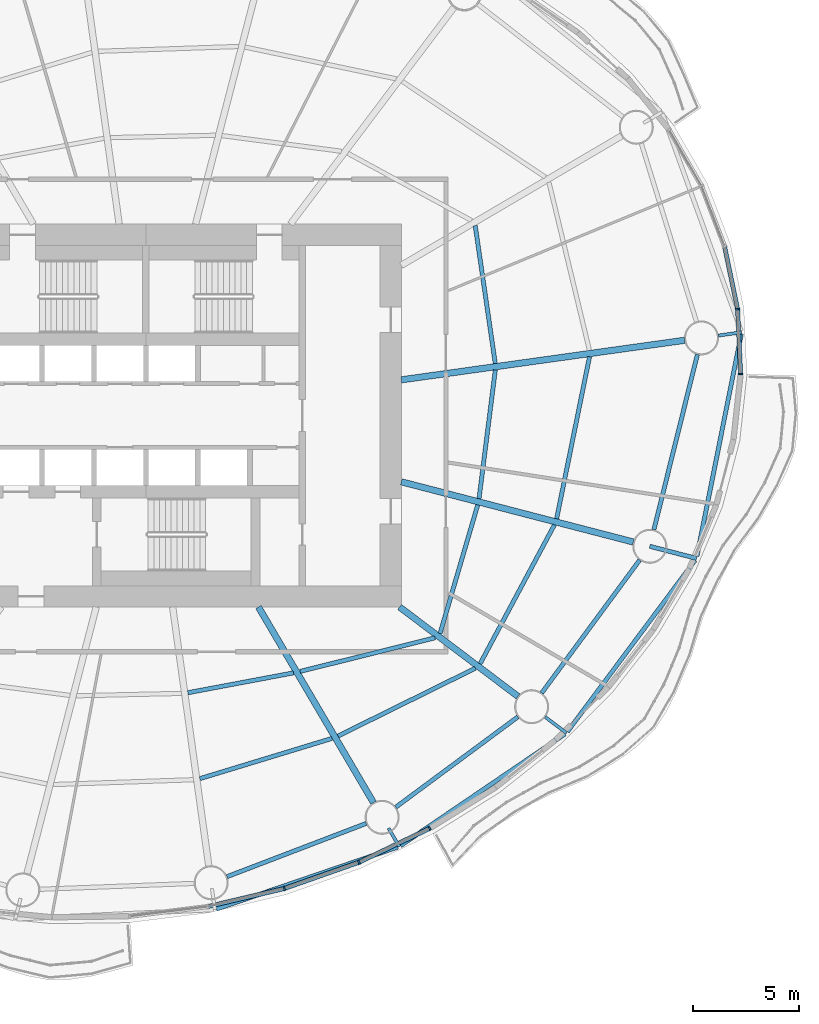
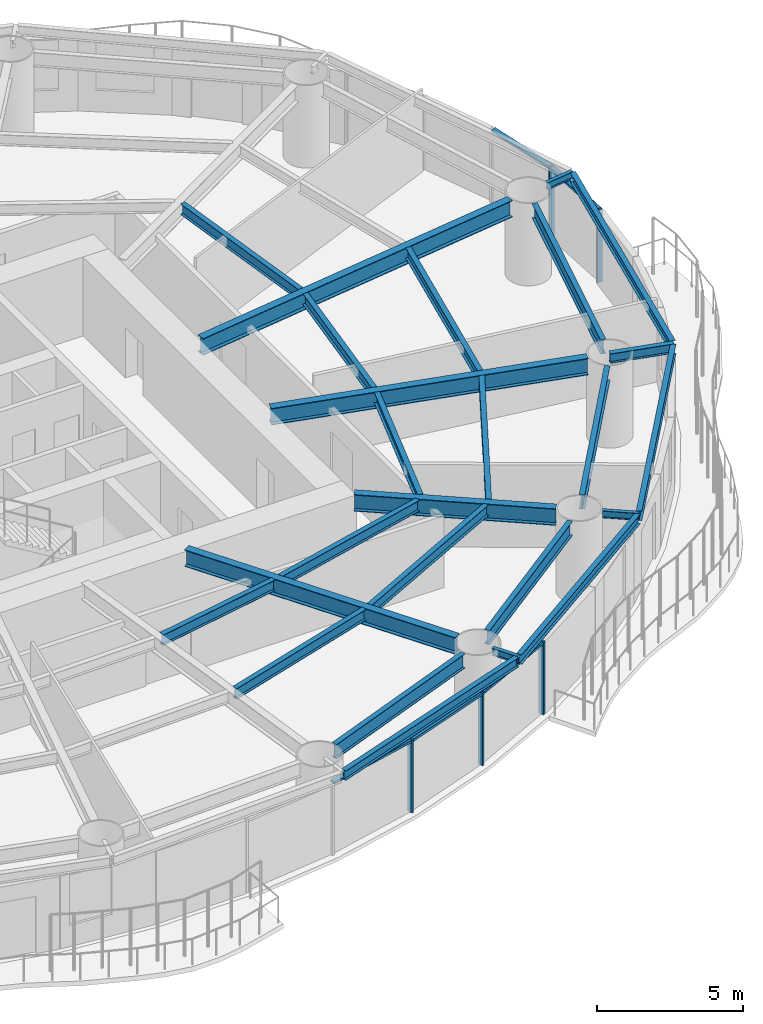
# One storey, part 3 of 16: 25 beams, 10 members, 5 elements without a shape of their own.
"""IFC4 building model written with IfcOpenShell, lengths in metres."""

from ifc_helpers import new_model, si_unit, direction, frame, origin, origin_2d, place, context, subcontext, project, spatial, rectangle, i_section, extrude, material, material_profile, profile_set, type_object, element, aggregate, save


model = new_model("IFC4")

# Units and contexts
model_context = context("Model", 3, precision=1e-05, world=origin(), true_north=direction((0.0, 1.0)))
body_context = subcontext(model_context, "Body", "Model", "MODEL_VIEW")
ifc_project = project(units=[si_unit("LENGTHUNIT", "METRE"), si_unit("AREAUNIT", "SQUARE_METRE"), si_unit("VOLUMEUNIT", "CUBIC_METRE"), si_unit("PLANEANGLEUNIT", "RADIAN"), si_unit("MASSUNIT", "GRAM", prefix="KILO")], contexts=[model_context])

# Site, building, storey
site_placement = place(None, origin())
site = spatial("IfcSite", under=ifc_project, at=site_placement, CompositionType="ELEMENT")
building_placement = place(site_placement, origin())
building = spatial("IfcBuilding", under=site, at=building_placement, Name="Vermilion Reach Broadcast Tower", CompositionType="ELEMENT")
storey_placement = place(building_placement, frame((0.0, 0.0, 99.39990234375)))
storey = spatial("IfcBuildingStorey", under=building, at=storey_placement, Name="L22", CompositionType="ELEMENT", Elevation=99.39990234375)

# Beams
ifc_material_1 = material(Name="Steel S355J2", Category="steel")
ifc_material_profile_1 = material_profile(ifc_material_1, i_section(OverallWidth=0.199951171875, OverallDepth=0.39990234375, WebThickness=0.008056640625, FlangeThickness=0.012939453125, at=origin_2d()), Name="S355J2 HN 400x200x8x13")
ifc_profile_set_1 = profile_set([ifc_material_profile_1], Name="Steel S355J2")
beam_type_1 = type_object("IfcBeamType", Name="EB2 HN 400x200x8x13", PredefinedType="BEAM", material=ifc_profile_set_1)
beam_1_placement = place(storey_placement, frame((-2.685791015625, -23.190673828125, 3.25), z_axis=(0.946284109578, 0.323336332571, 0.0), x_axis=(-0.323336332571, 0.946284109578, 0.0)))
element("IfcBeam", 1, at=beam_1_placement, inside=storey, type_object=beam_type_1, Name="Edge beam EB2-12", PredefinedType="BEAM", context=body_context, shape_type="SweptSolid", body=[
    extrude(i_section(OverallWidth=0.199951171875, OverallDepth=0.39990234375, WebThickness=0.008056640625, FlangeThickness=0.012939453125, at=origin_2d()), origin(), (0.0, 0.0, 1.0), 9.004150390625),
])
beam_2_placement = place(storey_placement, frame((5.96923828125, -20.21240234375, 3.25), z_axis=(0.827161220219, 0.561964692633, 0.0), x_axis=(-0.561964692633, 0.827161220219, 0.0)))
element("IfcBeam", 2, at=beam_2_placement, inside=storey, type_object=beam_type_1, Name="Edge beam EB2-13", PredefinedType="BEAM", context=body_context, shape_type="SweptSolid", body=[
    extrude(i_section(OverallWidth=0.199951171875, OverallDepth=0.39990234375, WebThickness=0.008056640625, FlangeThickness=0.012939453125, at=origin_2d()), origin(), (0.0, 0.0, 1.0), 9.34130859375),
])
beam_3_placement = place(storey_placement, frame((13.806396484375, -14.858154296875, 3.25), z_axis=(0.5973798961, 0.801958390277, 0.0), x_axis=(-0.801958390277, 0.5973798961, 0.0)))
element("IfcBeam", 3, at=beam_3_placement, inside=storey, type_object=beam_type_1, Name="Edge beam EB2-14", PredefinedType="BEAM", context=body_context, shape_type="SweptSolid", body=[
    extrude(i_section(OverallWidth=0.199951171875, OverallDepth=0.39990234375, WebThickness=0.008056640625, FlangeThickness=0.012939453125, at=origin_2d()), origin(), (0.0, 0.0, 1.0), 10.0458984375),
])
beam_4_placement = place(storey_placement, frame((19.891845703125, -6.616943359375, 3.25), z_axis=(0.195820891418, 0.980639678212, 0.0), x_axis=(-0.980639678212, 0.195820891418, 0.0)))
element("IfcBeam", 4, at=beam_4_placement, inside=storey, type_object=beam_type_1, Name="Edge beam EB2-15", PredefinedType="BEAM", context=body_context, shape_type="SweptSolid", body=[
    extrude(i_section(OverallWidth=0.199951171875, OverallDepth=0.39990234375, WebThickness=0.008056640625, FlangeThickness=0.012939453125, at=origin_2d()), origin(), (0.0, 0.0, 1.0), 10.65478515625),
])
ifc_material_2 = material(Name="Steel S355J2", Category="steel")
ifc_material_profile_2 = material_profile(ifc_material_2, i_section(OverallWidth=0.300048828125, OverallDepth=0.699951171875, WebThickness=0.012939453125, FlangeThickness=0.02392578125, at=origin_2d()), Name="S355J2 HN 700x300x13x24")
ifc_profile_set_2 = profile_set([ifc_material_profile_2], Name="Steel S355J2")
beam_type_2 = type_object("IfcBeamType", Name="G2 HN 700x300x13x24", PredefinedType="BEAM", material=ifc_profile_set_2)
beam_5_placement = place(storey_placement, frame((-0.709228515625, -9.0, 3.10009765625), z_axis=(0.506783943634, -0.862073102744, 0.0), x_axis=(0.862073102744, 0.506783943634, 0.0)))
element("IfcBeam", 5, at=beam_5_placement, inside=storey, type_object=beam_type_2, Name="Girder G2-13", PredefinedType="BEAM", context=body_context, shape_type="SweptSolid", body=[
    extrude(i_section(OverallWidth=0.300048828125, OverallDepth=0.699951171875, WebThickness=0.012939453125, FlangeThickness=0.02392578125, at=origin_2d()), origin(), (0.0, 0.0, 1.0), 10.661865234375),
])
beam_6_placement = place(storey_placement, frame((5.921630859375, -9.0, 3.10009765625), z_axis=(0.798113534072, -0.602507084382, 0.0), x_axis=(0.602507084382, 0.798113534072, 0.0)))
element("IfcBeam", 6, at=beam_6_placement, inside=storey, type_object=beam_type_2, Name="Girder G2-14", PredefinedType="BEAM", context=body_context, shape_type="SweptSolid", body=[
    extrude(i_section(OverallWidth=0.300048828125, OverallDepth=0.699951171875, WebThickness=0.012939453125, FlangeThickness=0.02392578125, at=origin_2d()), origin(), (0.0, 0.0, 1.0), 6.971923828125),
])
beam_7_placement = place(storey_placement, frame((6.0, -3.114501953125, 3.10009765625), z_axis=(0.967926079816, -0.2512351568, 0.0), x_axis=(0.2512351568, 0.967926079816, 0.0)))
element("IfcBeam", 7, at=beam_7_placement, inside=storey, type_object=beam_type_2, Name="Girder G2-15", PredefinedType="BEAM", context=body_context, shape_type="SweptSolid", body=[
    extrude(i_section(OverallWidth=0.300048828125, OverallDepth=0.699951171875, WebThickness=0.012939453125, FlangeThickness=0.02392578125, at=origin_2d()), origin(), (0.0, 0.0, 1.0), 11.265625),
])
beam_8_placement = place(storey_placement, frame((6.0, 1.67578125, 3.10009765625), z_axis=(0.990389457618, 0.138306623986, 0.0), x_axis=(-0.138306623986, 0.990389457618, 0.0)))
element("IfcBeam", 8, at=beam_8_placement, inside=storey, type_object=beam_type_2, Name="Girder G2-16", PredefinedType="BEAM", context=body_context, shape_type="SweptSolid", body=[
    extrude(i_section(OverallWidth=0.300048828125, OverallDepth=0.699951171875, WebThickness=0.012939453125, FlangeThickness=0.02392578125, at=origin_2d()), origin(), (0.0, 0.0, 1.0), 13.445556640625),
])
ifc_material_3 = material(Name="Steel S355J2", Category="steel")
ifc_material_profile_3 = material_profile(ifc_material_3, i_section(OverallWidth=0.199951171875, OverallDepth=0.39990234375, WebThickness=0.008056640625, FlangeThickness=0.012939453125, at=origin_2d()), Name="S355J2 HN 400x200x8x13")
ifc_profile_set_3 = profile_set([ifc_material_profile_3], Name="Steel S355J2")
beam_type_3 = type_object("IfcBeamType", Name="GC2 HN 400x200x8x13", PredefinedType="BEAM", material=ifc_profile_set_3)
beam_9_placement = place(storey_placement, frame((17.6787109375, -6.145751953125, 3.25), z_axis=(0.967923184333, -0.251246311873, 0.0), x_axis=(0.251246311873, 0.967923184333, 0.0)))
element("IfcBeam", 9, at=beam_9_placement, inside=storey, type_object=beam_type_3, Name="Cantilever girder GC2-15", PredefinedType="BEAM", context=body_context, shape_type="SweptSolid", body=[
    extrude(i_section(OverallWidth=0.199951171875, OverallDepth=0.39990234375, WebThickness=0.008056640625, FlangeThickness=0.012939453125, at=origin_2d()), origin(), (0.0, 0.0, 1.0), 2.26611328125),
])
ifc_material_4 = material(Name="Steel S355J2", Category="steel")
ifc_material_profile_4 = material_profile(ifc_material_4, i_section(OverallWidth=0.14990234375, OverallDepth=0.300048828125, WebThickness=0.006591796875, FlangeThickness=0.009033203125, at=origin_2d()), Name="S355J2 HN 300x150x6.5x9")
ifc_profile_set_4 = profile_set([ifc_material_profile_4], Name="Steel S355J2")
beam_type_4 = type_object("IfcBeamType", Name="GS2 HN 300x150x6.5x9", PredefinedType="BEAM", material=ifc_profile_set_4)
beam_10_placement = place(storey_placement, frame((5.400390625, -19.392578125, 3.300048828125), z_axis=(0.506646610102, -0.862153821816, 0.0), x_axis=(0.862153821816, 0.506646610102, 0.0)))
element("IfcBeam", 10, at=beam_10_placement, inside=storey, type_object=beam_type_4, Name="Cantilever stub GS2-13", PredefinedType="BEAM", context=body_context, shape_type="SweptSolid", body=[
    extrude(i_section(OverallWidth=0.14990234375, OverallDepth=0.300048828125, WebThickness=0.006591796875, FlangeThickness=0.009033203125, at=origin_2d()), origin(), (0.0, 0.0, 1.0), 1.0),
])
beam_11_placement = place(storey_placement, frame((12.762939453125, -14.16455078125, 3.300048828125), z_axis=(0.798075838613, -0.602557014582, 0.0), x_axis=(0.602557014582, 0.798075838613, 0.0)))
element("IfcBeam", 11, at=beam_11_placement, inside=storey, type_object=beam_type_4, Name="Cantilever stub GS2-14", PredefinedType="BEAM", context=body_context, shape_type="SweptSolid", body=[
    extrude(i_section(OverallWidth=0.14990234375, OverallDepth=0.300048828125, WebThickness=0.006591796875, FlangeThickness=0.009033203125, at=origin_2d()), origin(), (0.0, 0.0, 1.0), 1.251220703125),
])
beam_12_placement = place(storey_placement, frame((20.901123046875, 3.7568359375, 3.300048828125), z_axis=(0.990387276003, 0.138322245252, 0.0), x_axis=(-0.138322245252, 0.990387276003, 0.0)))
element("IfcBeam", 12, at=beam_12_placement, inside=storey, type_object=beam_type_4, Name="Cantilever stub GS2-16", PredefinedType="BEAM", context=body_context, shape_type="SweptSolid", body=[
    extrude(i_section(OverallWidth=0.14990234375, OverallDepth=0.300048828125, WebThickness=0.006591796875, FlangeThickness=0.009033203125, at=origin_2d()), origin(), (0.0, 0.0, 1.0), 1.10302734375),
])
ifc_material_5 = material(Name="Steel S355J2", Category="steel")
ifc_material_profile_5 = material_profile(ifc_material_5, i_section(OverallWidth=0.199951171875, OverallDepth=0.60009765625, WebThickness=0.010986328125, FlangeThickness=0.01708984375, at=origin_2d()), Name="S355J2 HN 600x200x11x17")
ifc_profile_set_5 = profile_set([ifc_material_profile_5], Name="Steel S355J2")
beam_type_5 = type_object("IfcBeamType", Name="RB2 HN 600x200x11x17", PredefinedType="BEAM", material=ifc_profile_set_5)
beam_13_placement = place(storey_placement, frame((-2.186767578125, -21.669677734375, 3.150146484375), z_axis=(0.933939237212, 0.357431813353, 0.0), x_axis=(-0.357431813353, 0.933939237212, 0.0)))
element("IfcBeam", 13, at=beam_13_placement, inside=storey, type_object=beam_type_5, Name="Ring beam RB2-12", PredefinedType="BEAM", context=body_context, shape_type="SweptSolid", body=[
    extrude(i_section(OverallWidth=0.199951171875, OverallDepth=0.60009765625, WebThickness=0.010986328125, FlangeThickness=0.01708984375, at=origin_2d()), origin(), (0.0, 0.0, 1.0), 7.001953125),
])
beam_14_placement = place(storey_placement, frame((5.74267578125, -18.4052734375, 3.150146484375), z_axis=(0.803832742218, 0.594855379515, 0.0), x_axis=(-0.594855379515, 0.803832742218, 0.0)))
element("IfcBeam", 14, at=beam_14_placement, inside=storey, type_object=beam_type_5, Name="Ring beam RB2-13", PredefinedType="BEAM", context=body_context, shape_type="SweptSolid", body=[
    extrude(i_section(OverallWidth=0.199951171875, OverallDepth=0.60009765625, WebThickness=0.010986328125, FlangeThickness=0.01708984375, at=origin_2d()), origin(), (0.0, 0.0, 1.0), 7.13916015625),
])
beam_15_placement = place(storey_placement, frame((12.59912109375, -13.03857421875, 3.150146484375), z_axis=(0.593250534798, 0.80501788984, 0.0), x_axis=(-0.80501788984, 0.593250534798, 0.0)))
element("IfcBeam", 15, at=beam_15_placement, inside=storey, type_object=beam_type_5, Name="Ring beam RB2-14", PredefinedType="BEAM", context=body_context, shape_type="SweptSolid", body=[
    extrude(i_section(OverallWidth=0.199951171875, OverallDepth=0.60009765625, WebThickness=0.010986328125, FlangeThickness=0.01708984375, at=origin_2d()), origin(), (0.0, 0.0, 1.0), 7.76220703125),
])
beam_16_placement = place(storey_placement, frame((17.871337890625, -5.369384765625, 3.150146484375), z_axis=(0.240863809798, 0.970558924089, 0.0), x_axis=(-0.970558924089, 0.240863809798, 0.0)))
element("IfcBeam", 16, at=beam_16_placement, inside=storey, type_object=beam_type_5, Name="Ring beam RB2-15", PredefinedType="BEAM", context=body_context, shape_type="SweptSolid", body=[
    extrude(i_section(OverallWidth=0.199951171875, OverallDepth=0.60009765625, WebThickness=0.010986328125, FlangeThickness=0.01708984375, at=origin_2d()), origin(), (0.0, 0.0, 1.0), 8.489013671875),
])
ifc_material_6 = material(Name="Steel S355J2", Category="steel")
ifc_material_profile_6 = material_profile(ifc_material_6, i_section(OverallWidth=0.199951171875, OverallDepth=0.449951171875, WebThickness=0.009033203125, FlangeThickness=0.013916015625, at=origin_2d()), Name="S355J2 HN 450x200x9x14")
ifc_profile_set_6 = profile_set([ifc_material_profile_6], Name="Steel S355J2")
beam_type_6 = type_object("IfcBeamType", Name="SB2 HN 450x200x9x14", PredefinedType="BEAM", material=ifc_profile_set_6)
beam_17_placement = place(storey_placement, frame((-4.029296875, -13.026611328125, 3.22509765625), z_axis=(0.982782890015, 0.184764149915, 0.0), x_axis=(-0.184764149915, 0.982782890015, 0.0)))
element("IfcBeam", 17, at=beam_17_placement, inside=storey, type_object=beam_type_6, Name="Secondary beam SB2-12-1", PredefinedType="BEAM", context=body_context, shape_type="SweptSolid", body=[
    extrude(i_section(OverallWidth=0.199951171875, OverallDepth=0.449951171875, WebThickness=0.009033203125, FlangeThickness=0.013916015625, at=origin_2d()), origin(), (0.0, 0.0, 1.0), 5.051513671875),
])
beam_18_placement = place(storey_placement, frame((-3.46533203125, -17.064697265625, 3.22509765625), z_axis=(0.956596430605, 0.291415972374, 0.0), x_axis=(-0.291415972374, 0.956596430605, 0.0)))
element("IfcBeam", 18, at=beam_18_placement, inside=storey, type_object=beam_type_6, Name="Secondary beam SB2-12-2", PredefinedType="BEAM", context=body_context, shape_type="SweptSolid", body=[
    extrude(i_section(OverallWidth=0.199951171875, OverallDepth=0.449951171875, WebThickness=0.009033203125, FlangeThickness=0.013916015625, at=origin_2d()), origin(), (0.0, 0.0, 1.0), 6.49267578125),
])
beam_19_placement = place(storey_placement, frame((1.24365234375, -12.026123046875, 3.22509765625), z_axis=(0.970396717612, 0.241516480695, 0.0), x_axis=(-0.241516480695, 0.970396717612, 0.0)))
element("IfcBeam", 19, at=beam_19_placement, inside=storey, type_object=beam_type_6, Name="Secondary beam SB2-13-1", PredefinedType="BEAM", context=body_context, shape_type="SweptSolid", body=[
    extrude(i_section(OverallWidth=0.199951171875, OverallDepth=0.449951171875, WebThickness=0.009033203125, FlangeThickness=0.013916015625, at=origin_2d()), origin(), (0.0, 0.0, 1.0), 6.539306640625),
])
beam_20_placement = place(storey_placement, frame((3.02783203125, -15.06103515625, 3.22509765625), z_axis=(0.896648255868, 0.442743611189, 0.0), x_axis=(-0.442743611189, 0.896648255868, 0.0)))
element("IfcBeam", 20, at=beam_20_placement, inside=storey, type_object=beam_type_6, Name="Secondary beam SB2-13-2", PredefinedType="BEAM", context=body_context, shape_type="SweptSolid", body=[
    extrude(i_section(OverallWidth=0.199951171875, OverallDepth=0.449951171875, WebThickness=0.009033203125, FlangeThickness=0.013916015625, at=origin_2d()), origin(), (0.0, 0.0, 1.0), 7.19677734375),
])
beam_21_placement = place(storey_placement, frame((7.821533203125, -10.246337890625, 3.22509765625), z_axis=(0.281175657723, 0.959656318431, 0.0), x_axis=(-0.959656318431, 0.281175657723, 0.0)))
element("IfcBeam", 21, at=beam_21_placement, inside=storey, type_object=beam_type_6, Name="Secondary beam SB2-14-1", PredefinedType="BEAM", context=body_context, shape_type="SweptSolid", body=[
    extrude(i_section(OverallWidth=0.199951171875, OverallDepth=0.449951171875, WebThickness=0.009033203125, FlangeThickness=0.013916015625, at=origin_2d()), origin(), (0.0, 0.0, 1.0), 6.298583984375),
])
beam_22_placement = place(storey_placement, frame((9.702880859375, -11.66650390625, 3.22509765625), z_axis=(0.471821551693, 0.881694064491, 0.0), x_axis=(-0.881694064491, 0.471821551693, 0.0)))
element("IfcBeam", 22, at=beam_22_placement, inside=storey, type_object=beam_type_6, Name="Secondary beam SB2-14-2", PredefinedType="BEAM", context=body_context, shape_type="SweptSolid", body=[
    extrude(i_section(OverallWidth=0.199951171875, OverallDepth=0.449951171875, WebThickness=0.009033203125, FlangeThickness=0.013916015625, at=origin_2d()), origin(), (0.0, 0.0, 1.0), 7.405029296875),
])
beam_23_placement = place(storey_placement, frame((9.65380859375, -3.907958984375, 3.22509765625), z_axis=(0.125557241128, 0.992086376885, 0.0), x_axis=(-0.992086376885, 0.125557241128, 0.0)))
element("IfcBeam", 23, at=beam_23_placement, inside=storey, type_object=beam_type_6, Name="Secondary beam SB2-15-1", PredefinedType="BEAM", context=body_context, shape_type="SweptSolid", body=[
    extrude(i_section(OverallWidth=0.199951171875, OverallDepth=0.449951171875, WebThickness=0.009033203125, FlangeThickness=0.013916015625, at=origin_2d()), origin(), (0.0, 0.0, 1.0), 6.097900390625),
])
beam_24_placement = place(storey_placement, frame((13.29931640625, -4.854248046875, 3.22509765625), z_axis=(0.19906416804, 0.979986457561, 0.0), x_axis=(-0.979986457561, 0.19906416804, 0.0)))
element("IfcBeam", 24, at=beam_24_placement, inside=storey, type_object=beam_type_6, Name="Secondary beam SB2-15-2", PredefinedType="BEAM", context=body_context, shape_type="SweptSolid", body=[
    extrude(i_section(OverallWidth=0.199951171875, OverallDepth=0.449951171875, WebThickness=0.009033203125, FlangeThickness=0.013916015625, at=origin_2d()), origin(), (0.0, 0.0, 1.0), 7.76953125),
])
beam_25_placement = place(storey_placement, frame((10.417236328125, 2.444091796875, 3.22509765625), z_axis=(-0.143973706518, 0.989581513485, 0.0), x_axis=(-0.989581513485, -0.143973706518, 0.0)))
element("IfcBeam", 25, at=beam_25_placement, inside=storey, type_object=beam_type_6, Name="Secondary beam SB2-16-1", PredefinedType="BEAM", context=body_context, shape_type="SweptSolid", body=[
    extrude(i_section(OverallWidth=0.199951171875, OverallDepth=0.449951171875, WebThickness=0.009033203125, FlangeThickness=0.013916015625, at=origin_2d()), origin(), (0.0, 0.0, 1.0), 6.547119140625),
])

# Curtain wall, member
ifc_material_7 = material(Name="Low-e laminated clear glass in aluminium frame", Category="aluminium")
curtain_wall_type = type_object("IfcCurtainWallType", Name="Slot curtain wall", PredefinedType="NOTDEFINED", material=ifc_material_7)
placement = place(storey_placement, origin())
curtain_wall_1 = element("IfcCurtainWall", 26, at=placement, inside=storey, type_object=curtain_wall_type, Name="Slot curtain wall L22 46", PredefinedType="NOTDEFINED")
ifc_material_8 = material(Name="Anodised aluminium", Category="aluminium")
ifc_material_profile_7 = material_profile(ifc_material_8, rectangle(XDim=0.199951171875, YDim=0.080078125, at=origin_2d()), Name="Slot mullion 80 x 200")
ifc_profile_set_7 = profile_set([ifc_material_profile_7], Name="Anodised aluminium")
member_type_1 = type_object("IfcMemberType", Name="Slot mullion 80 x 200", PredefinedType="MULLION", material=ifc_profile_set_7)
member_1_placement = place(storey_placement, frame((21.9453125, 1.952880859375, 0.0), z_axis=(0.0, 0.0, 1.0), x_axis=(-0.999531760255, 0.030598369932, 0.0)))
member_1 = element("IfcMember", 27, at=member_1_placement, type_object=member_type_1, Name="Slot mullion L22 46", PredefinedType="MULLION", context=body_context, shape_type="SweptSolid", body=[
    extrude(rectangle(XDim=0.199951171875, YDim=0.080078125, at=origin_2d()), origin(), (0.0, 0.0, 1.0), 3.050048828125),
])

curtain_wall_2 = element("IfcCurtainWall", 28, at=placement, inside=storey, type_object=curtain_wall_type, Name="Slot curtain wall L22 47", PredefinedType="NOTDEFINED")
member_2_placement = place(storey_placement, frame((21.802978515625, 4.99951171875, 0.0), z_axis=(0.0, 0.0, 1.0), x_axis=(-0.992090348938, -0.125525852095, 0.0)))
member_2 = element("IfcMember", 29, at=member_2_placement, type_object=member_type_1, Name="Slot mullion L22 47", PredefinedType="MULLION", context=body_context, shape_type="SweptSolid", body=[
    extrude(rectangle(XDim=0.199951171875, YDim=0.080078125, at=origin_2d()), origin(), (0.0, 0.0, 1.0), 3.050048828125),
])

curtain_wall_3 = element("IfcCurtainWall", 30, at=placement, inside=storey, type_object=curtain_wall_type, Name="Slot curtain wall L22 36", PredefinedType="NOTDEFINED")
member_3_placement = place(storey_placement, frame((0.5078125, -22.226318359375, 0.0), z_axis=(0.0, 0.0, 1.0), x_axis=(-0.281001745356, 0.959707256983, 0.0)))
member_3 = element("IfcMember", 31, at=member_3_placement, type_object=member_type_1, Name="Slot mullion L22 36", PredefinedType="MULLION", context=body_context, shape_type="SweptSolid", body=[
    extrude(rectangle(XDim=0.199951171875, YDim=0.080078125, at=origin_2d()), origin(), (0.0, 0.0, 1.0), 3.050048828125),
])

# Curtain wall, members
curtain_wall_4 = element("IfcCurtainWall", 32, at=placement, inside=storey, type_object=curtain_wall_type, Name="Slot curtain wall L22 37", PredefinedType="NOTDEFINED")
member_4_placement = place(storey_placement, frame((4.00732421875, -20.994384765625, 0.0), z_axis=(0.0, 0.0, 1.0), x_axis=(-0.382456538435, 0.923973482416, 0.0)))
member_4 = element("IfcMember", 33, at=member_4_placement, type_object=member_type_1, Name="Slot mullion L22 37", PredefinedType="MULLION", context=body_context, shape_type="SweptSolid", body=[
    extrude(rectangle(XDim=0.199951171875, YDim=0.080078125, at=origin_2d()), origin(), (0.0, 0.0, 1.0), 3.050048828125),
])
member_5_placement = place(storey_placement, frame((7.33447265625, -19.40185546875, 0.0), z_axis=(0.0, 0.0, 1.0), x_axis=(-0.48054495979, 0.876970091634, 0.0)))
member_5 = element("IfcMember", 34, at=member_5_placement, type_object=member_type_1, Name="Slot mullion L22 38", PredefinedType="MULLION", context=body_context, shape_type="SweptSolid", body=[
    extrude(rectangle(XDim=0.199951171875, YDim=0.080078125, at=origin_2d()), origin(), (0.0, 0.0, 1.0), 3.050048828125),
])

# Member
ifc_material_9 = material(Name="Anodised aluminium", Category="aluminium")
ifc_material_profile_8 = material_profile(ifc_material_9, rectangle(XDim=0.199951171875, YDim=0.10009765625, at=origin_2d()), Name="Slot transom 200 x 100")
ifc_profile_set_8 = profile_set([ifc_material_profile_8], Name="Anodised aluminium")
member_type_2 = type_object("IfcMemberType", Name="Slot transom 200 x 100", PredefinedType="USERDEFINED", material=ifc_profile_set_8)
member_6_placement = place(storey_placement, frame((21.943359375, 1.99267578125, 3.0), z_axis=(-0.046686468234, 0.998909592347, 0.0), x_axis=(-0.998909592347, -0.046686468234, 0.0)))
member_6 = element("IfcMember", 35, at=member_6_placement, type_object=member_type_2, Name="Slot transom L22 46.1", ObjectType="TRANSOM", PredefinedType="USERDEFINED", context=body_context, shape_type="SweptSolid", body=[
    extrude(rectangle(XDim=0.199951171875, YDim=0.10009765625, at=origin_2d()), origin(), (0.0, 0.0, 1.0), 2.97021484375),
])

aggregate(curtain_wall_1, [member_1, member_6])

member_7_placement = place(storey_placement, frame((21.794677734375, 5.038818359375, 3.0), z_axis=(-0.20358996084, 0.979056243453, 0.0), x_axis=(-0.979056243453, -0.20358996084, 0.0)))
member_7 = element("IfcMember", 36, at=member_7_placement, type_object=member_type_2, Name="Slot transom L22 47.1", ObjectType="TRANSOM", PredefinedType="USERDEFINED", context=body_context, shape_type="SweptSolid", body=[
    extrude(rectangle(XDim=0.199951171875, YDim=0.10009765625, at=origin_2d()), origin(), (0.0, 0.0, 1.0), 2.944091796875),
])

aggregate(curtain_wall_2, [member_2, member_7])

# Curtain wall, member
curtain_wall_5 = element("IfcCurtainWall", 37, at=placement, inside=storey, type_object=curtain_wall_type, Name="Slot curtain wall L22 35", PredefinedType="NOTDEFINED")
member_8_placement = place(storey_placement, frame((-3.064453125, -23.0673828125, 3.0), z_axis=(0.973393347899, 0.22914054697, 0.0), x_axis=(-0.22914054697, 0.973393347899, 0.0)))
member_8 = element("IfcMember", 38, at=member_8_placement, type_object=member_type_2, Name="Slot transom L22 35.1", ObjectType="TRANSOM", PredefinedType="USERDEFINED", context=body_context, shape_type="SweptSolid", body=[
    extrude(rectangle(XDim=0.199951171875, YDim=0.10009765625, at=origin_2d()), origin(), (0.0, 0.0, 1.0), 3.630126953125),
])
aggregate(curtain_wall_5, [member_8])

# Member
member_9_placement = place(storey_placement, frame((0.545654296875, -22.213134765625, 3.0), z_axis=(0.943257001446, 0.332063592138, 0.0), x_axis=(-0.332063592138, 0.943257001446, 0.0)))
member_9 = element("IfcMember", 39, at=member_9_placement, type_object=member_type_2, Name="Slot transom L22 36.1", ObjectType="TRANSOM", PredefinedType="USERDEFINED", context=body_context, shape_type="SweptSolid", body=[
    extrude(rectangle(XDim=0.199951171875, YDim=0.10009765625, at=origin_2d()), origin(), (0.0, 0.0, 1.0), 3.6298828125),
])

aggregate(curtain_wall_3, [member_3, member_9])

member_10_placement = place(storey_placement, frame((4.04345703125, -20.977294921875, 3.0), z_axis=(0.901993355026, 0.431749913131, 0.0), x_axis=(-0.431749913131, 0.901993355026, 0.0)))
member_10 = element("IfcMember", 40, at=member_10_placement, type_object=member_type_2, Name="Slot transom L22 37.1", ObjectType="TRANSOM", PredefinedType="USERDEFINED", context=body_context, shape_type="SweptSolid", body=[
    extrude(rectangle(XDim=0.199951171875, YDim=0.10009765625, at=origin_2d()), origin(), (0.0, 0.0, 1.0), 3.60888671875),
])

aggregate(curtain_wall_4, [member_4, member_5, member_10])

save(model, "model.ifc")
